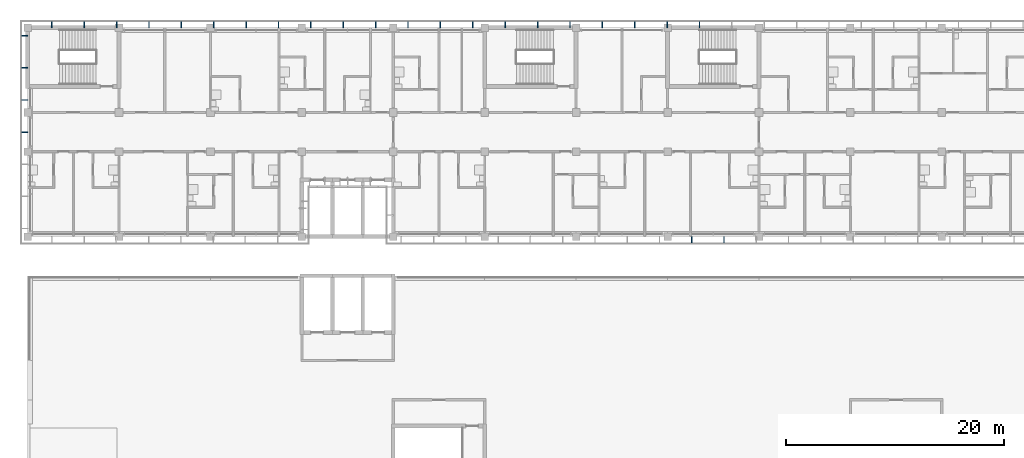
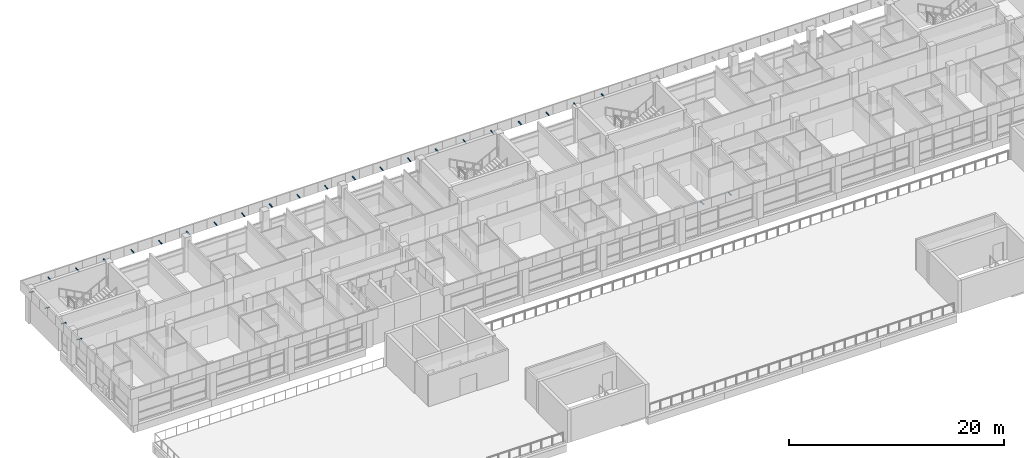
# One storey, part 32 of 46: 27 discrete accessories.
"""IFC4 building model written with IfcOpenShell, lengths in metres."""

from ifc_helpers import new_model, si_unit, direction, frame, origin, origin_2d, place, context, subcontext, project, spatial, rectangle, extrude, material, material_profile, profile_set, type_object, element, save


model = new_model("IFC4")

# Units and contexts
model_context = context("Model", 3, precision=1e-05, world=origin(), true_north=direction((0.0, 1.0)))
body_context = subcontext(model_context, "Body", "Model", "MODEL_VIEW")
ifc_project = project(units=[si_unit("LENGTHUNIT", "METRE"), si_unit("AREAUNIT", "SQUARE_METRE"), si_unit("VOLUMEUNIT", "CUBIC_METRE"), si_unit("PLANEANGLEUNIT", "RADIAN"), si_unit("MASSUNIT", "GRAM", prefix="KILO")], contexts=[model_context])

# Site, building, storey
site_placement = place(None, origin())
site = spatial("IfcSite", under=ifc_project, at=site_placement, CompositionType="ELEMENT")
building_placement = place(site_placement, origin())
building = spatial("IfcBuilding", under=site, at=building_placement, Name="Bougainvillea Quay General Hospital", CompositionType="ELEMENT")
storey_placement = place(building_placement, frame((0.0, 0.0, 28.800048828125)))
storey = spatial("IfcBuildingStorey", under=building, at=storey_placement, Name="L06", CompositionType="ELEMENT", Elevation=28.800048828125)

# Discrete accessories
ifc_material = material(Name="Stainless steel bracket, grade 316", Category="steel")
ifc_material_profile = material_profile(ifc_material, rectangle(XDim=0.080078125, YDim=0.050048828125, at=origin_2d()))
ifc_profile_set = profile_set([ifc_material_profile], Name="Stainless steel bracket, grade 316")
discrete_accessory_type = type_object("IfcDiscreteAccessoryType", Name="Stainless steel stand-off bracket 80x50", PredefinedType="BRACKET", material=ifc_profile_set)
for number, where, z_axis, x_axis, name in (
    (1, (103.731201171875, 159.60009765625, 3.83984375), (0.0, 0.994086591779, 0.108590276011), (-1.0, 0.0, 0.0), "Fascia bracket e0 55"),
    (2, (100.75634765625, 159.60009765625, 3.83984375), (0.0, 0.994086591779, 0.108590276011), (-1.0, 0.0, 0.0), "Fascia bracket e0 57"),
    (3, (97.78125, 159.60009765625, 3.83984375), (0.0, 0.994086591779, 0.108590276011), (-1.0, 0.0, 0.0), "Fascia bracket e0 59"),
    (4, (94.80615234375, 159.60009765625, 3.83984375), (0.0, 0.994086591779, 0.108590276011), (-1.0, 0.0, 0.0), "Fascia bracket e0 61"),
    (5, (91.831298828125, 159.60009765625, 3.83984375), (0.0, 0.994086591779, 0.108590276011), (-1.0, 0.0, 0.0), "Fascia bracket e0 63"),
    (6, (88.856201171875, 159.60009765625, 3.83984375), (0.0, 0.994086591779, 0.108590276011), (-1.0, 0.0, 0.0), "Fascia bracket e0 65"),
    (7, (85.88134765625, 159.60009765625, 3.83984375), (0.0, 0.994086591779, 0.108590276011), (-1.0, 0.0, 0.0), "Fascia bracket e0 67"),
    (8, (82.90625, 159.60009765625, 3.83984375), (0.0, 0.994086591779, 0.108590276011), (-1.0, 0.0, 0.0), "Fascia bracket e0 69"),
    (9, (79.93115234375, 159.60009765625, 3.83984375), (0.0, 0.994086591779, 0.108590276011), (-1.0, 0.0, 0.0), "Fascia bracket e0 71"),
    (10, (76.956298828125, 159.60009765625, 3.83984375), (0.0, 0.994086591779, 0.108590276011), (-1.0, 0.0, 0.0), "Fascia bracket e0 73"),
    (11, (73.981201171875, 159.60009765625, 3.83984375), (0.0, 0.994086591779, 0.108590276011), (-1.0, 0.0, 0.0), "Fascia bracket e0 75"),
    (12, (71.00634765625, 159.60009765625, 3.83984375), (0.0, 0.994086591779, 0.108590276011), (-1.0, 0.0, 0.0), "Fascia bracket e0 77"),
    (13, (68.03125, 159.60009765625, 3.83984375), (0.0, 0.994086591779, 0.108590276011), (-1.0, 0.0, 0.0), "Fascia bracket e0 79"),
    (14, (65.05615234375, 159.60009765625, 3.83984375), (0.0, 0.994086591779, 0.108590276011), (-1.0, 0.0, 0.0), "Fascia bracket e0 81"),
    (15, (62.081298828125, 159.60009765625, 3.83984375), (0.0, 0.994086591779, 0.108590276011), (-1.0, 0.0, 0.0), "Fascia bracket e0 83"),
    (16, (59.106201171875, 159.60009765625, 3.83984375), (0.0, 0.994086591779, 0.108590276011), (-1.0, 0.0, 0.0), "Fascia bracket e0 85"),
    (17, (56.13134765625, 159.60009765625, 3.83984375), (0.0, 0.994086591779, 0.108590276011), (-1.0, 0.0, 0.0), "Fascia bracket e0 87"),
    (18, (53.15625, 159.60009765625, 3.83984375), (0.0, 0.994086591779, 0.108590276011), (-1.0, 0.0, 0.0), "Fascia bracket e0 89"),
    (19, (50.18115234375, 159.60009765625, 3.83984375), (0.0, 0.994086591779, 0.108590276011), (-1.0, 0.0, 0.0), "Fascia bracket e0 91"),
    (20, (47.206298828125, 159.60009765625, 3.83984375), (0.0, 0.994086591779, 0.108590276011), (-1.0, 0.0, 0.0), "Fascia bracket e0 93"),
    (21, (44.231201171875, 159.60009765625, 3.83984375), (0.0, 0.994086591779, 0.108590276011), (-1.0, 0.0, 0.0), "Fascia bracket e0 95"),
):
    element("IfcDiscreteAccessory", number, at=place(storey_placement, frame(where, z_axis=z_axis, x_axis=x_axis)), inside=storey, type_object=discrete_accessory_type, Name=name, PredefinedType="BRACKET", context=body_context, shape_type="SweptSolid", body=[
        extrude(rectangle(XDim=0.080078125, YDim=0.050048828125, at=origin_2d()), origin(), (0.0, 0.0, 1.0), 0.552978515625),
    ])
for number, where, z_axis, x_axis, name in (
    (22, (42.0, 158.861572265625, 3.83984375), (-0.994091793559, 0.0, 0.108542645901), (0.0, -1.0, 0.0), "Fascia bracket e0 97"),
    (23, (42.0, 155.90771484375, 3.83984375), (-0.994091793559, 0.0, 0.108542645901), (0.0, -1.0, 0.0), "Fascia bracket e0 99"),
    (24, (42.0, 152.953857421875, 3.83984375), (-0.994091793559, 0.0, 0.108542645901), (0.0, -1.0, 0.0), "Fascia bracket e0 101"),
    (25, (42.0, 150.0, 3.83984375), (-0.994091793559, 0.0, 0.108542645901), (0.0, -1.0, 0.0), "Fascia bracket e0 103"),
):
    element("IfcDiscreteAccessory", number, at=place(storey_placement, frame(where, z_axis=z_axis, x_axis=x_axis)), inside=storey, type_object=discrete_accessory_type, Name=name, PredefinedType="BRACKET", context=body_context, shape_type="SweptSolid", body=[
        extrude(rectangle(XDim=0.080078125, YDim=0.050048828125, at=origin_2d()), origin(), (0.0, 0.0, 1.0), 0.55322265625),
    ])
for number, where, z_axis, x_axis, name in (
    (26, (103.0234375, 140.39990234375, 3.83984375), (0.0, -0.994086591779, 0.108590276011), (1.0, 0.0, 0.0), "Fascia bracket e0 159"),
    (27, (105.98828125, 140.39990234375, 3.83984375), (0.0, -0.994086591779, 0.108590276011), (1.0, 0.0, 0.0), "Fascia bracket e0 161"),
):
    element("IfcDiscreteAccessory", number, at=place(storey_placement, frame(where, z_axis=z_axis, x_axis=x_axis)), inside=storey, type_object=discrete_accessory_type, Name=name, PredefinedType="BRACKET", context=body_context, shape_type="SweptSolid", body=[
        extrude(rectangle(XDim=0.080078125, YDim=0.050048828125, at=origin_2d()), origin(), (0.0, 0.0, 1.0), 0.552978515625),
    ])

save(model, "model.ifc")
